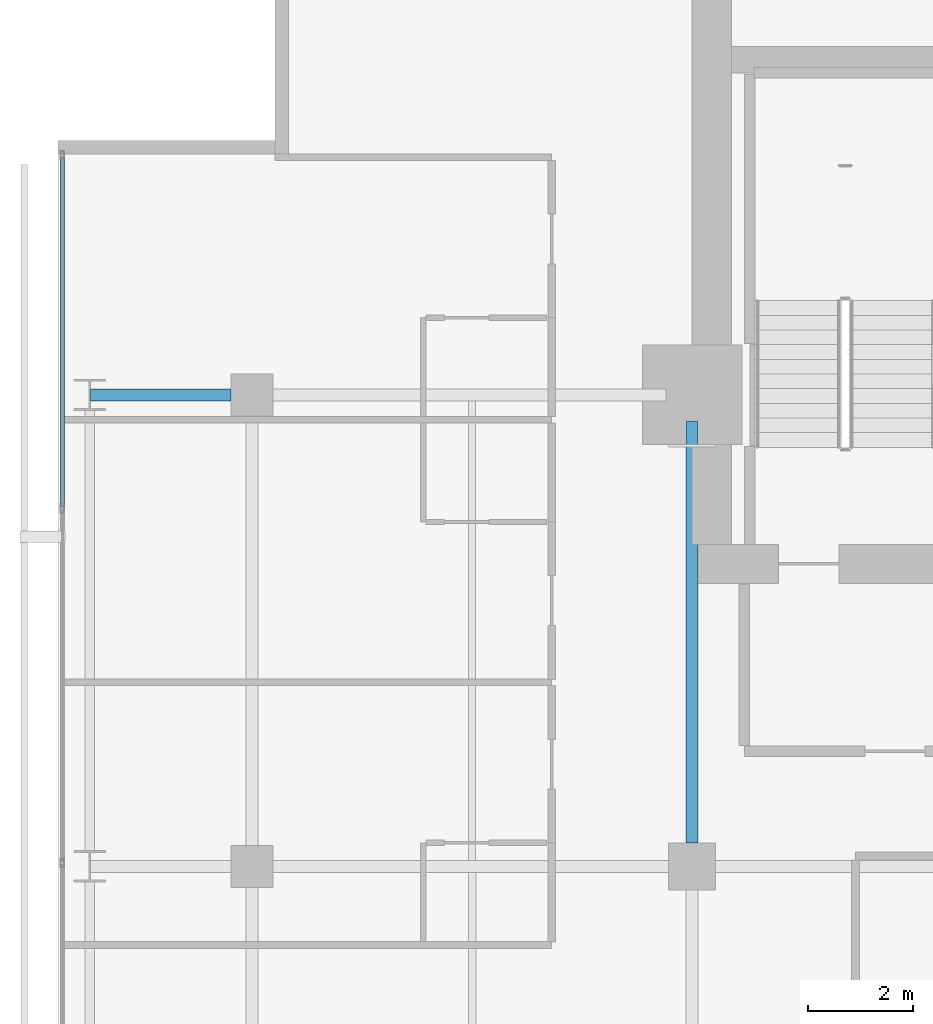
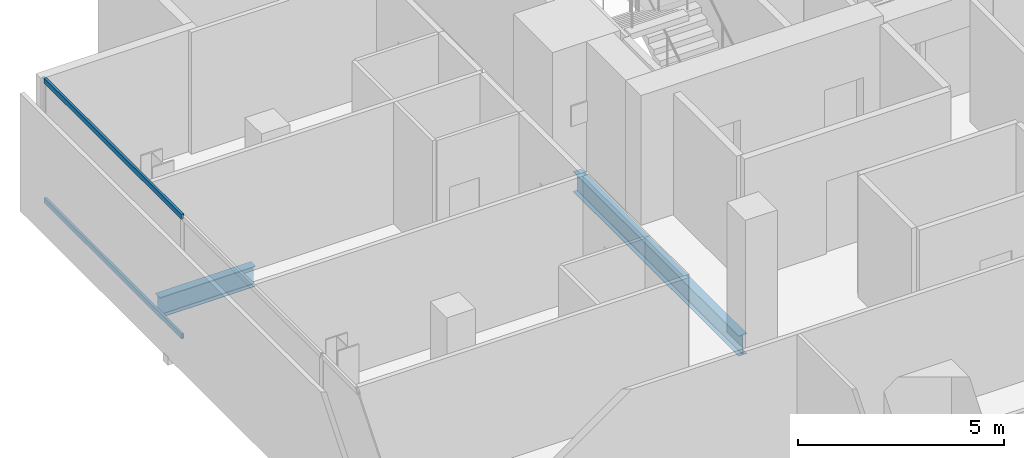
# One storey, part 19 of 34: 2 beams, 2 members, 1 element without a shape of its own.
"""IFC4 building model written with IfcOpenShell, lengths in metres."""

from ifc_helpers import new_model, si_unit, direction, frame, origin, origin_2d, place, context, subcontext, project, spatial, hollow_rectangle, i_section, extrude, material, layer, layer_set, material_profile, profile_set, type_object, element, aggregate, save


model = new_model("IFC4")

# Units and contexts
model_context = context("Model", 3, precision=1e-05, world=origin(), true_north=direction((0.0, 1.0)))
body_context = subcontext(model_context, "Body", "Model", "MODEL_VIEW")
ifc_project = project(units=[si_unit("LENGTHUNIT", "METRE"), si_unit("AREAUNIT", "SQUARE_METRE"), si_unit("VOLUMEUNIT", "CUBIC_METRE"), si_unit("PLANEANGLEUNIT", "RADIAN"), si_unit("MASSUNIT", "GRAM", prefix="KILO")], contexts=[model_context])

# Site, building, storey
site_placement = place(None, origin())
site = spatial("IfcSite", under=ifc_project, at=site_placement, CompositionType="ELEMENT")
building_placement = place(site_placement, origin())
building = spatial("IfcBuilding", under=site, at=building_placement, Name="Maruvema Waterfront Hotel and Observation Tower", CompositionType="ELEMENT")
storey_placement = place(building_placement, frame((0.0, 0.0, 181.300048828125)))
storey = spatial("IfcBuildingStorey", under=building, at=storey_placement, Name="L44", CompositionType="ELEMENT", Elevation=181.300048828125)

# Curtain wall, members
ifc_material_1 = material(Name="Anodised bronze aluminium and solar-control low-E IGU", Category="aluminium")
ifc_layer = layer(ifc_material_1, 0.159912109375, Name="Zone 2 Amber Inner Thermal Curtain Wall System CW-03")
ifc_layer_set = layer_set([ifc_layer], Name="Anodised bronze aluminium and solar-control low-E IGU")
curtain_wall_type = type_object("IfcCurtainWallType", Name="Zone 2 Amber Inner Thermal Curtain Wall System CW-03", PredefinedType="USERDEFINED", material=ifc_layer_set)
curtain_wall_placement = place(storey_placement, origin())
curtain_wall = element("IfcCurtainWall", 1, at=curtain_wall_placement, inside=storey, type_object=curtain_wall_type, Name="L44 Curtain Wall CW-L44-W", ObjectType="UNITISED CURTAIN WALL", PredefinedType="USERDEFINED")
ifc_material_2 = material(Name="Anodised architectural bronze aluminium", Category="aluminium")
ifc_material_profile_1 = material_profile(ifc_material_2, hollow_rectangle(XDim=0.070068359375, YDim=0.14990234375, WallThickness=0.00390625, at=origin_2d()), Name="ALU-T70x150")
ifc_profile_set_1 = profile_set([ifc_material_profile_1], Name="Anodised architectural bronze aluminium")
member_type = type_object("IfcMemberType", Name="Curtain Wall Horizontal Transom ALU-T70x150", PredefinedType="USERDEFINED", material=ifc_profile_set_1)
member_1_placement = place(storey_placement, frame((13.179931640625, 49.5400390625, 0.030029296875), z_axis=(0.0, -1.0, 0.0), x_axis=(1.0, 0.0, 0.0)))
member_1 = element("IfcMember", 2, at=member_1_placement, type_object=member_type, Name="CW-03 transom 1.1", ObjectType="TRANSOM", PredefinedType="USERDEFINED", context=body_context, shape_type="SweptSolid", body=[
    extrude(hollow_rectangle(XDim=0.070068359375, YDim=0.14990234375, WallThickness=0.00390625, at=origin_2d()), origin(), (0.0, 0.0, 1.0), 6.6767578125),
])
member_2_placement = place(storey_placement, frame((13.179931640625, 49.5400390625, 3.579833984375), z_axis=(0.0, -1.0, 0.0), x_axis=(1.0, 0.0, 0.0)))
member_2 = element("IfcMember", 3, at=member_2_placement, type_object=member_type, Name="CW-03 transom 1.2", ObjectType="TRANSOM", PredefinedType="USERDEFINED", context=body_context, shape_type="SweptSolid", body=[
    extrude(hollow_rectangle(XDim=0.070068359375, YDim=0.14990234375, WallThickness=0.00390625, at=origin_2d()), origin(), (0.0, 0.0, 1.0), 6.6767578125),
])
aggregate(curtain_wall, [member_1, member_2])

# Beams
ifc_material_3 = material(Name="Steel ASTM A572 Grade 50", Category="steel")
ifc_material_profile_2 = material_profile(ifc_material_3, i_section(OverallWidth=0.22802734375, OverallDepth=0.60302734375, WebThickness=0.010498046875, FlangeThickness=0.014892578125, FilletRadius=0.01806640625, at=origin_2d()), Name="W610x101.0")
ifc_profile_set_2 = profile_set([ifc_material_profile_2], Name="Steel ASTM A572 Grade 50")
beam_type = type_object("IfcBeamType", Name="Primary Floor Girder W610x101.0", PredefinedType="BEAM", material=ifc_profile_set_2)
beam_1_placement = place(storey_placement, frame((13.71240234375, 45.0, -0.54150390625), z_axis=(1.0, 0.0, 0.0), x_axis=(0.0, 1.0, 0.0)))
element("IfcBeam", 4, at=beam_1_placement, inside=storey, type_object=beam_type, Name="L44 Floor Girder EW-30", PredefinedType="BEAM", context=body_context, shape_type="SweptSolid", body=[
    extrude(i_section(OverallWidth=0.22802734375, OverallDepth=0.60302734375, WebThickness=0.010498046875, FlangeThickness=0.014892578125, FilletRadius=0.01806640625, at=origin_2d()), origin(), (0.0, 0.0, 1.0), 2.6875),
])
beam_2_placement = place(storey_placement, frame((25.199951171875, 36.449951171875, -0.54150390625), z_axis=(0.0, 1.0, 0.0), x_axis=(-1.0, 0.0, 0.0)))
element("IfcBeam", 5, at=beam_2_placement, inside=storey, type_object=beam_type, Name="L44 Floor Girder NS-13", PredefinedType="BEAM", context=body_context, shape_type="SweptSolid", body=[
    extrude(i_section(OverallWidth=0.22802734375, OverallDepth=0.60302734375, WebThickness=0.010498046875, FlangeThickness=0.014892578125, FilletRadius=0.01806640625, at=origin_2d()), origin(), (0.0, 0.0, 1.0), 8.050048828125),
])

save(model, "model.ifc")
